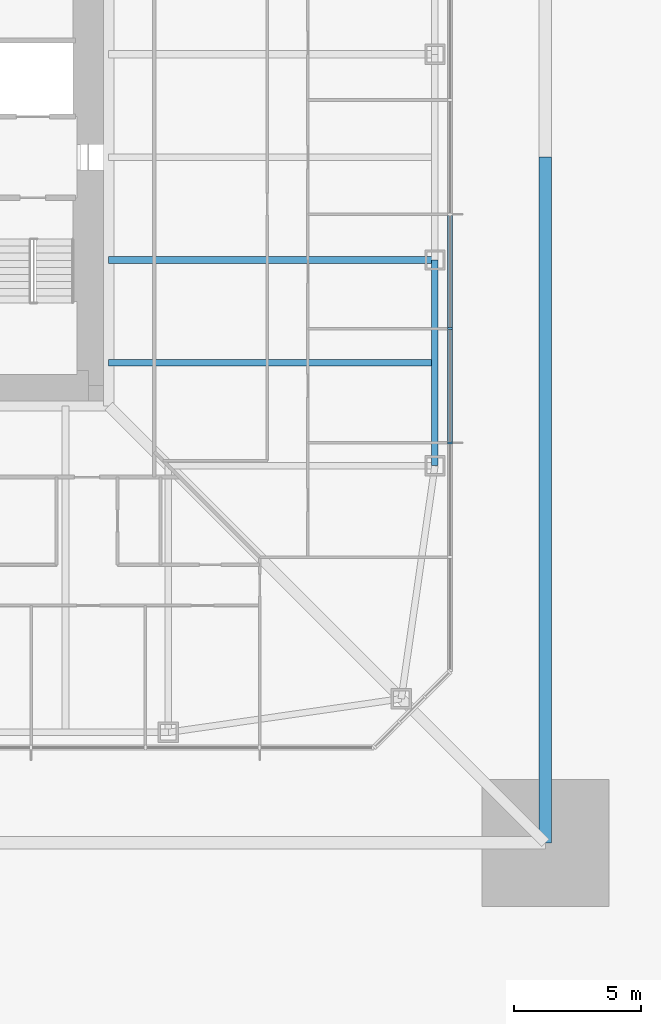
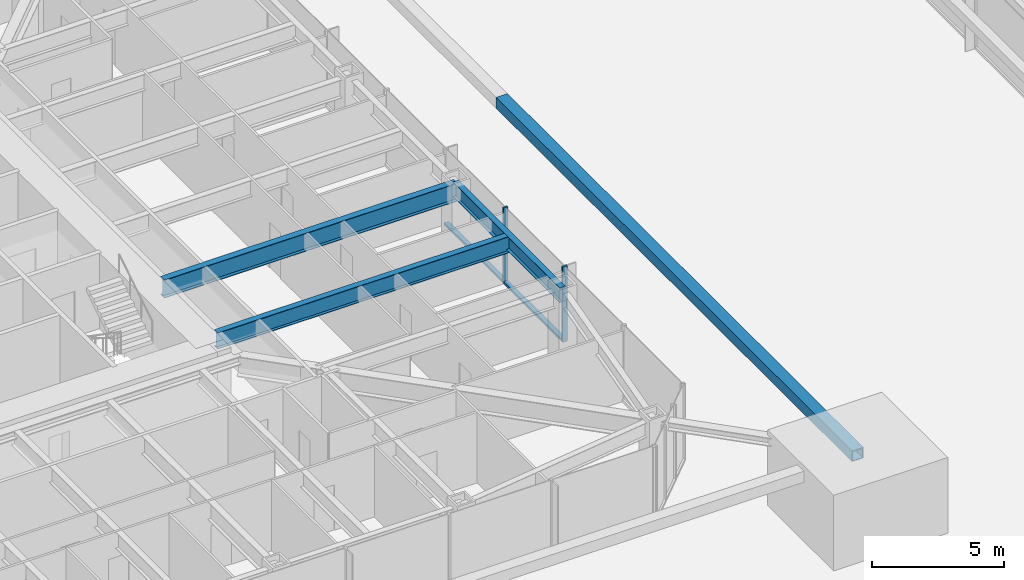
# One storey, part 5 of 31: 5 members, 3 beams, 1 element without a shape of its own.
"""IFC4 building model written with IfcOpenShell, lengths in metres."""

from ifc_helpers import new_model, si_unit, direction, frame, origin, origin_2d, place, context, subcontext, project, spatial, rectangle, hollow_rectangle, i_section, extrude, material, material_profile, profile_set, type_object, element, aggregate, save


model = new_model("IFC4")

# Units and contexts
model_context = context("Model", 3, precision=1e-05, world=origin(), true_north=direction((0.0, 1.0)))
body_context = subcontext(model_context, "Body", "Model", "MODEL_VIEW")
ifc_project = project(units=[si_unit("LENGTHUNIT", "METRE"), si_unit("AREAUNIT", "SQUARE_METRE"), si_unit("VOLUMEUNIT", "CUBIC_METRE"), si_unit("PLANEANGLEUNIT", "RADIAN"), si_unit("MASSUNIT", "GRAM", prefix="KILO")], contexts=[model_context])

# Site, building, storey
site_placement = place(None, origin())
site = spatial("IfcSite", under=ifc_project, at=site_placement, CompositionType="ELEMENT")
building_placement = place(site_placement, origin())
building = spatial("IfcBuilding", under=site, at=building_placement, Name="Iwan Alto Co-Living Towers", CompositionType="ELEMENT")
storey_placement = place(building_placement, frame((0.0, 0.0, 15.0)))
storey = spatial("IfcBuildingStorey", under=building, at=storey_placement, Name="L03", CompositionType="ELEMENT", Elevation=15.0)

# Curtain wall, members
ifc_material_1 = material(Name="Bronze aluminium unitised frame", Category="aluminium")
curtain_wall_type = type_object("IfcCurtainWallType", Name="CURTAIN WALL CW-A", PredefinedType="NOTDEFINED", material=ifc_material_1)
curtain_wall_placement = place(storey_placement, origin())
curtain_wall = element("IfcCurtainWall", 1, at=curtain_wall_placement, inside=storey, type_object=curtain_wall_type, Name="T1 curtain wall E L03", PredefinedType="NOTDEFINED")
ifc_material_2 = material(Name="Aluminium 6063-T6 bronze anodised", Category="aluminium")
ifc_material_profile_1 = material_profile(ifc_material_2, rectangle(XDim=0.199951171875, YDim=0.080078125, at=origin_2d()), Name="AL 80X200")
ifc_profile_set_1 = profile_set([ifc_material_profile_1], Name="Aluminium 6063-T6 bronze anodised")
member_type_1 = type_object("IfcMemberType", Name="CW-A MULLION 80X200", PredefinedType="MULLION", material=ifc_profile_set_1)
member_1_placement = place(storey_placement, frame((23.25, -11.25, 0.0), z_axis=(0.0, 0.0, 1.0), x_axis=(-1.0, 0.0, 0.0)))
member_1 = element("IfcMember", 2, at=member_1_placement, type_object=member_type_1, Name="CW-A mullion 3", PredefinedType="MULLION", context=body_context, shape_type="SweptSolid", body=[
    extrude(rectangle(XDim=0.199951171875, YDim=0.080078125, at=origin_2d()), origin(), (0.0, 0.0, 1.0), 3.5),
])
member_2_placement = place(storey_placement, frame((23.25, -6.75, 0.0), z_axis=(0.0, 0.0, 1.0), x_axis=(-1.0, 0.0, 0.0)))
member_2 = element("IfcMember", 3, at=member_2_placement, type_object=member_type_1, Name="CW-A mullion 4", PredefinedType="MULLION", context=body_context, shape_type="SweptSolid", body=[
    extrude(rectangle(XDim=0.199951171875, YDim=0.080078125, at=origin_2d()), origin(), (0.0, 0.0, 1.0), 3.5),
])
ifc_material_3 = material(Name="Aluminium 6063-T6 bronze anodised", Category="aluminium")
ifc_material_profile_2 = material_profile(ifc_material_3, rectangle(XDim=0.199951171875, YDim=0.10009765625, at=origin_2d()), Name="AL 200X100")
ifc_profile_set_2 = profile_set([ifc_material_profile_2], Name="Aluminium 6063-T6 bronze anodised")
member_type_2 = type_object("IfcMemberType", Name="CW-A TRANSOM 200X100", PredefinedType="USERDEFINED", material=ifc_profile_set_2)
member_3_placement = place(storey_placement, frame((23.25, -11.2099609375, 0.050048828125), z_axis=(0.0, 1.0, 0.0), x_axis=(-1.0, 0.0, 0.0)))
member_3 = element("IfcMember", 4, at=member_3_placement, type_object=member_type_2, Name="CW-A transom 3.1", ObjectType="TRANSOM", PredefinedType="USERDEFINED", context=body_context, shape_type="SweptSolid", body=[
    extrude(rectangle(XDim=0.199951171875, YDim=0.10009765625, at=origin_2d()), origin(), (0.0, 0.0, 1.0), 4.419921875),
])
member_4_placement = place(storey_placement, frame((23.25, -6.7099609375, 0.050048828125), z_axis=(0.0, 1.0, 0.0), x_axis=(-1.0, 0.0, 0.0)))
member_4 = element("IfcMember", 5, at=member_4_placement, type_object=member_type_2, Name="CW-A transom 4.1", ObjectType="TRANSOM", PredefinedType="USERDEFINED", context=body_context, shape_type="SweptSolid", body=[
    extrude(rectangle(XDim=0.199951171875, YDim=0.10009765625, at=origin_2d()), origin(), (0.0, 0.0, 1.0), 4.419921875),
])
aggregate(curtain_wall, [member_1, member_2, member_3, member_4])

# Beam
ifc_material_4 = material(Name="Steel ASTM A992 Gr 50", Category="steel")
ifc_material_profile_3 = material_profile(ifc_material_4, i_section(OverallWidth=0.25390625, OverallDepth=0.683349609375, WebThickness=0.012451171875, FlangeThickness=0.018798828125, at=origin_2d()), Name="W27X94")
ifc_profile_set_3 = profile_set([ifc_material_profile_3], Name="Steel ASTM A992 Gr 50")
beam_type_1 = type_object("IfcBeamType", Name="T1 EDGE BEAM W27X94", PredefinedType="BEAM", material=ifc_profile_set_3)
beam_1_placement = place(storey_placement, frame((22.64990234375, -12.14990234375, 2.928466796875), z_axis=(0.0, 1.0, 0.0), x_axis=(-1.0, 0.0, 0.0)))
element("IfcBeam", 6, at=beam_1_placement, inside=storey, type_object=beam_type_1, Name="T1 edge beam E1 L04", PredefinedType="BEAM", context=body_context, shape_type="SweptSolid", body=[
    extrude(i_section(OverallWidth=0.25390625, OverallDepth=0.683349609375, WebThickness=0.012451171875, FlangeThickness=0.018798828125, at=origin_2d()), origin(), (0.0, 0.0, 1.0), 8.099853515625),
])

# Member
ifc_material_5 = material(Name="Steel ASTM A572 Gr 50", Category="steel")
ifc_material_profile_4 = material_profile(ifc_material_5, hollow_rectangle(XDim=0.5, YDim=0.5, WallThickness=0.031982421875, at=origin_2d()), Name="BOX 500X500X32")
ifc_profile_set_4 = profile_set([ifc_material_profile_4], Name="Steel ASTM A572 Gr 50")
member_type_3 = type_object("IfcMemberType", Name="T1 MEGA TIE BOX 500X500X32", PredefinedType="STRUT", material=ifc_profile_set_4)
member_5_placement = place(storey_placement, frame((27.0, -27.0, 3.0), z_axis=(0.0, 1.0, 0.0), x_axis=(-1.0, 0.0, 0.0)))
element("IfcMember", 7, at=member_5_placement, inside=storey, type_object=member_type_3, Name="T1 mega tie Z1A E 1", PredefinedType="STRUT", context=body_context, shape_type="SweptSolid", body=[
    extrude(hollow_rectangle(XDim=0.5, YDim=0.5, WallThickness=0.031982421875, at=origin_2d()), origin(), (0.0, 0.0, 1.0), 27.0),
])

# Beams
ifc_material_6 = material(Name="Steel ASTM A992 Gr 50", Category="steel")
ifc_material_profile_5 = material_profile(ifc_material_6, i_section(OverallWidth=0.2919921875, OverallDepth=0.8408203125, WebThickness=0.0146484375, FlangeThickness=0.021728515625, at=origin_2d()), Name="W33X130")
ifc_profile_set_5 = profile_set([ifc_material_profile_5], Name="Steel ASTM A992 Gr 50")
beam_type_2 = type_object("IfcBeamType", Name="T1 RADIAL BEAM W33X130", PredefinedType="BEAM", material=ifc_profile_set_5)
beam_2_placement = place(storey_placement, frame((22.64990234375, -4.050048828125, 2.849609375), z_axis=(-1.0, 0.0, 0.0), x_axis=(0.0, -1.0, 0.0)))
element("IfcBeam", 8, at=beam_2_placement, inside=storey, type_object=beam_type_2, Name="T1 radial beam E2 L04", PredefinedType="BEAM", context=body_context, shape_type="SweptSolid", body=[
    extrude(i_section(OverallWidth=0.2919921875, OverallDepth=0.8408203125, WebThickness=0.0146484375, FlangeThickness=0.021728515625, at=origin_2d()), origin(), (0.0, 0.0, 1.0), 12.847900390625),
])
ifc_material_7 = material(Name="Steel ASTM A992 Gr 50", Category="steel")
ifc_material_profile_6 = material_profile(ifc_material_7, i_section(OverallWidth=0.2666015625, OverallDepth=0.761962890625, WebThickness=0.014404296875, FlangeThickness=0.021484375, at=origin_2d()), Name="W30X116")
ifc_profile_set_6 = profile_set([ifc_material_profile_6], Name="Steel ASTM A992 Gr 50")
beam_type_3 = type_object("IfcBeamType", Name="T1 SECONDARY BEAM W30X116", PredefinedType="JOIST", material=ifc_profile_set_6)
beam_3_placement = place(storey_placement, frame((22.64990234375, -8.10009765625, 2.888916015625), z_axis=(-1.0, 0.0, 0.0), x_axis=(0.0, -1.0, 0.0)))
element("IfcBeam", 9, at=beam_3_placement, inside=storey, type_object=beam_type_3, Name="T1 secondary beam E1 L04", PredefinedType="JOIST", context=body_context, shape_type="SweptSolid", body=[
    extrude(i_section(OverallWidth=0.2666015625, OverallDepth=0.761962890625, WebThickness=0.014404296875, FlangeThickness=0.021484375, at=origin_2d()), origin(), (0.0, 0.0, 1.0), 12.847900390625),
])

save(model, "model.ifc")
